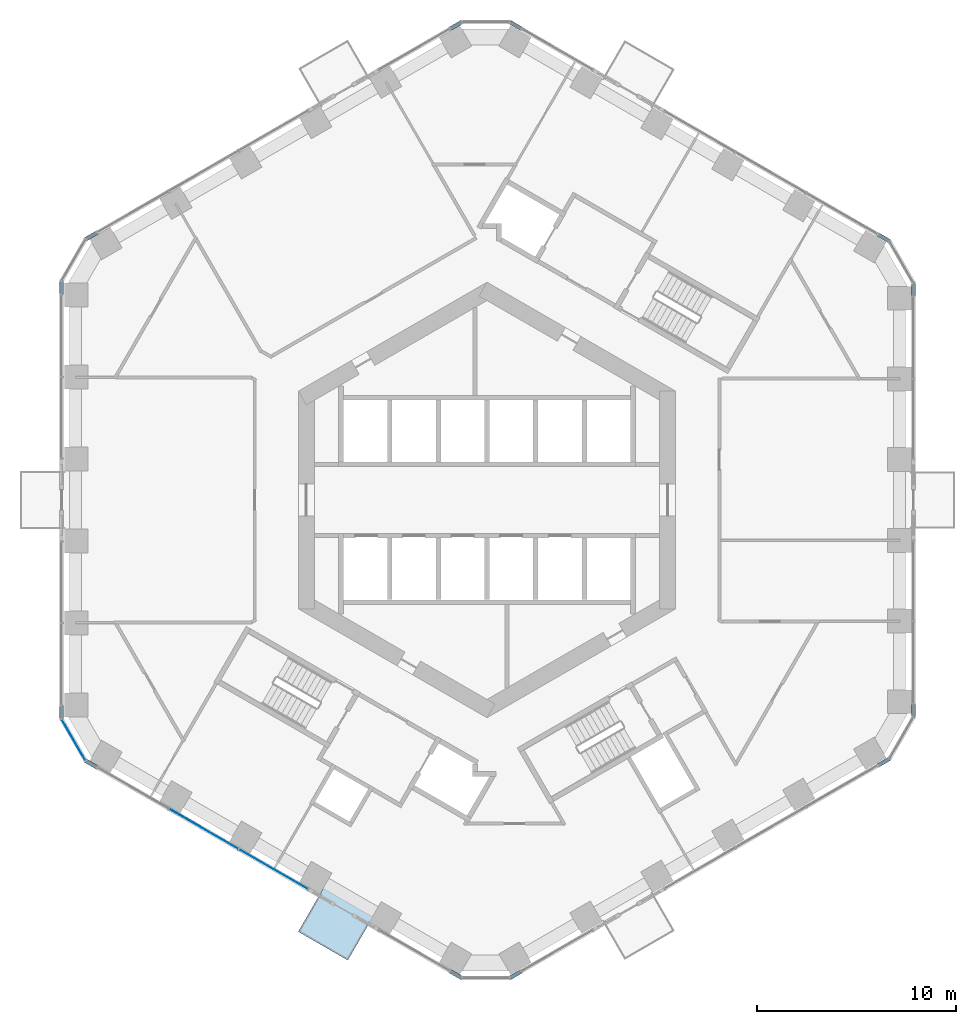
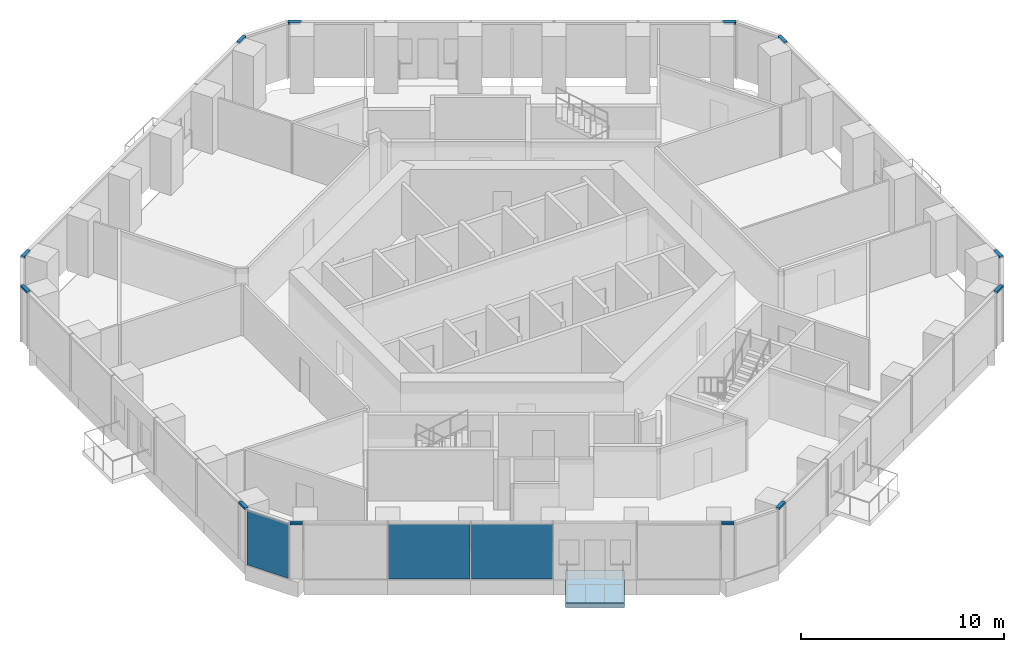
# One storey, part 8 of 20: 12 members, 3 plates, 1 slab, 7 elements without a shape of their own.
"""IFC4 building model written with IfcOpenShell, lengths in metres."""

from ifc_helpers import new_model, si_unit, direction, frame, origin, origin_2d, place, context, subcontext, project, spatial, polyline, rectangle, outline, extrude, material, layer, layer_set, material_profile, profile_set, type_object, element, aggregate, save


model = new_model("IFC4")

# Units and contexts
model_context = context("Model", 3, precision=1e-05, world=origin(), true_north=direction((0.0, 1.0)))
body_context = subcontext(model_context, "Body", "Model", "MODEL_VIEW")
ifc_project = project(units=[si_unit("LENGTHUNIT", "METRE"), si_unit("AREAUNIT", "SQUARE_METRE"), si_unit("VOLUMEUNIT", "CUBIC_METRE"), si_unit("PLANEANGLEUNIT", "RADIAN"), si_unit("MASSUNIT", "GRAM", prefix="KILO")], contexts=[model_context])

# Site, building, storey
site_placement = place(None, origin())
site = spatial("IfcSite", under=ifc_project, at=site_placement, CompositionType="ELEMENT")
building_placement = place(site_placement, origin())
building = spatial("IfcBuilding", under=site, at=building_placement, Name="Ayvan Gate Tower", CompositionType="ELEMENT")
storey_placement = place(building_placement, frame((0.0, 0.0, 28.89990234375)))
storey = spatial("IfcBuildingStorey", under=building, at=storey_placement, Name="L06", CompositionType="ELEMENT", Elevation=28.89990234375)

# Curtain wall, members
ifc_material_1 = material(Name="Bronze anodised aluminium", Category="aluminium")
ifc_layer_1 = layer(ifc_material_1, 0.199951171875)
ifc_layer_set_1 = layer_set([ifc_layer_1], Name="Bronze anodised aluminium")
curtain_wall_type_1 = type_object("IfcCurtainWallType", Name="Stick curtain wall CW-6", PredefinedType="NOTDEFINED", material=ifc_layer_set_1)
curtain_wall_1_placement = place(storey_placement, origin())
curtain_wall_1 = element("IfcCurtainWall", 1, at=curtain_wall_1_placement, inside=storey, type_object=curtain_wall_type_1, Name="Stick curtain wall CW-6 L06", PredefinedType="NOTDEFINED")
ifc_material_profile = material_profile(ifc_material_1, rectangle(XDim=0.199951171875, YDim=0.1201171875, at=origin_2d()), Name="Stick curtain wall CW-6 transom 200 x 120")
ifc_profile_set = profile_set([ifc_material_profile], Name="Bronze anodised aluminium")
member_type = type_object("IfcMemberType", Name="Stick curtain wall CW-6 transom 200 x 120", PredefinedType="USERDEFINED", material=ifc_profile_set)
member_1_placement = place(storey_placement, frame((-19.655029296875, 13.46044921875, 3.340087890625), z_axis=(-0.866022959057, -0.500004234368, 0.0), x_axis=(0.500004234368, -0.866022959057, 0.0)))
member_1 = element("IfcMember", 2, at=member_1_placement, type_object=member_type, Name="CW-6 transom 1", ObjectType="TRANSOM", PredefinedType="USERDEFINED", context=body_context, shape_type="SweptSolid", body=[
    extrude(rectangle(XDim=0.199951171875, YDim=0.1201171875, at=origin_2d()), origin(), (0.0, 0.0, 1.0), 0.625),
])
member_2_placement = place(storey_placement, frame((-21.42529296875, 11.019287109375, 3.340087890625), z_axis=(0.0, -1.0, 0.0), x_axis=(1.0, 0.0, 0.0)))
member_2 = element("IfcMember", 3, at=member_2_placement, type_object=member_type, Name="CW-6 transom 3", ObjectType="TRANSOM", PredefinedType="USERDEFINED", context=body_context, shape_type="SweptSolid", body=[
    extrude(rectangle(XDim=0.199951171875, YDim=0.1201171875, at=origin_2d()), origin(), (0.0, 0.0, 1.0), 0.625),
])
aggregate(curtain_wall_1, [member_1, member_2])

curtain_wall_2_placement = place(storey_placement, origin())
curtain_wall_2 = element("IfcCurtainWall", 4, at=curtain_wall_2_placement, inside=storey, type_object=curtain_wall_type_1, Name="Stick curtain wall CW-6 L06", PredefinedType="NOTDEFINED")
member_3_placement = place(storey_placement, frame((-21.42529296875, -10.394287109375, 3.340087890625), z_axis=(0.0, -1.0, 0.0), x_axis=(1.0, 0.0, 0.0)))
member_3 = element("IfcMember", 5, at=member_3_placement, type_object=member_type, Name="CW-6 transom 1", ObjectType="TRANSOM", PredefinedType="USERDEFINED", context=body_context, shape_type="SweptSolid", body=[
    extrude(rectangle(XDim=0.199951171875, YDim=0.1201171875, at=origin_2d()), origin(), (0.0, 0.0, 1.0), 0.625),
])
member_4_placement = place(storey_placement, frame((-20.1962890625, -13.14794921875, 3.340087890625), z_axis=(0.866022959057, -0.500004234368, 0.0), x_axis=(0.500004234368, 0.866022959057, 0.0)))
member_4 = element("IfcMember", 6, at=member_4_placement, type_object=member_type, Name="CW-6 transom 3", ObjectType="TRANSOM", PredefinedType="USERDEFINED", context=body_context, shape_type="SweptSolid", body=[
    extrude(rectangle(XDim=0.199951171875, YDim=0.1201171875, at=origin_2d()), origin(), (0.0, 0.0, 1.0), 0.625),
])

curtain_wall_3_placement = place(storey_placement, origin())
curtain_wall_3 = element("IfcCurtainWall", 7, at=curtain_wall_3_placement, inside=storey, type_object=curtain_wall_type_1, Name="Stick curtain wall CW-6 L06", PredefinedType="NOTDEFINED")
member_5_placement = place(storey_placement, frame((-1.82958984375, -23.751953125, 3.340087890625), z_axis=(0.866022959057, -0.500004234368, 0.0), x_axis=(0.500004234368, 0.866022959057, 0.0)))
member_5 = element("IfcMember", 8, at=member_5_placement, type_object=member_type, Name="CW-6 transom 1", ObjectType="TRANSOM", PredefinedType="USERDEFINED", context=body_context, shape_type="SweptSolid", body=[
    extrude(rectangle(XDim=0.199951171875, YDim=0.1201171875, at=origin_2d()), origin(), (0.0, 0.0, 1.0), 0.625),
])
member_6_placement = place(storey_placement, frame((1.169677734375, -24.064453125, 3.340087890625), z_axis=(0.866022959057, 0.500004234368, 0.0), x_axis=(-0.500004234368, 0.866022959057, 0.0)))
member_6 = element("IfcMember", 9, at=member_6_placement, type_object=member_type, Name="CW-6 transom 3", ObjectType="TRANSOM", PredefinedType="USERDEFINED", context=body_context, shape_type="SweptSolid", body=[
    extrude(rectangle(XDim=0.199951171875, YDim=0.1201171875, at=origin_2d()), origin(), (0.0, 0.0, 1.0), 0.625),
])
aggregate(curtain_wall_3, [member_5, member_6])

curtain_wall_4_placement = place(storey_placement, origin())
curtain_wall_4 = element("IfcCurtainWall", 10, at=curtain_wall_4_placement, inside=storey, type_object=curtain_wall_type_1, Name="Stick curtain wall CW-6 L06", PredefinedType="NOTDEFINED")
member_7_placement = place(storey_placement, frame((19.71435546875, -13.357666015625, 3.340087890625), z_axis=(0.866022959057, 0.500004234368, 0.0), x_axis=(-0.500004234368, 0.866022959057, 0.0)))
member_7 = element("IfcMember", 11, at=member_7_placement, type_object=member_type, Name="CW-6 transom 1", ObjectType="TRANSOM", PredefinedType="USERDEFINED", context=body_context, shape_type="SweptSolid", body=[
    extrude(rectangle(XDim=0.199951171875, YDim=0.1201171875, at=origin_2d()), origin(), (0.0, 0.0, 1.0), 0.625),
])
member_8_placement = place(storey_placement, frame((21.484619140625, -10.91650390625, 3.340087890625), z_axis=(0.0, 1.0, 0.0), x_axis=(-1.0, 0.0, 0.0)))
member_8 = element("IfcMember", 12, at=member_8_placement, type_object=member_type, Name="CW-6 transom 3", ObjectType="TRANSOM", PredefinedType="USERDEFINED", context=body_context, shape_type="SweptSolid", body=[
    extrude(rectangle(XDim=0.199951171875, YDim=0.1201171875, at=origin_2d()), origin(), (0.0, 0.0, 1.0), 0.625),
])
aggregate(curtain_wall_4, [member_7, member_8])

curtain_wall_5_placement = place(storey_placement, origin())
curtain_wall_5 = element("IfcCurtainWall", 13, at=curtain_wall_5_placement, inside=storey, type_object=curtain_wall_type_1, Name="Stick curtain wall CW-6 L06", PredefinedType="NOTDEFINED")
member_9_placement = place(storey_placement, frame((21.484619140625, 10.29150390625, 3.340087890625), z_axis=(0.0, 1.0, 0.0), x_axis=(-1.0, 0.0, 0.0)))
member_9 = element("IfcMember", 14, at=member_9_placement, type_object=member_type, Name="CW-6 transom 1", ObjectType="TRANSOM", PredefinedType="USERDEFINED", context=body_context, shape_type="SweptSolid", body=[
    extrude(rectangle(XDim=0.199951171875, YDim=0.1201171875, at=origin_2d()), origin(), (0.0, 0.0, 1.0), 0.625),
])
member_10_placement = place(storey_placement, frame((20.255615234375, 13.045166015625, 3.340087890625), z_axis=(-0.866022959057, 0.500004234368, 0.0), x_axis=(-0.500004234368, -0.866022959057, 0.0)))
member_10 = element("IfcMember", 15, at=member_10_placement, type_object=member_type, Name="CW-6 transom 3", ObjectType="TRANSOM", PredefinedType="USERDEFINED", context=body_context, shape_type="SweptSolid", body=[
    extrude(rectangle(XDim=0.199951171875, YDim=0.1201171875, at=origin_2d()), origin(), (0.0, 0.0, 1.0), 0.625),
])
aggregate(curtain_wall_5, [member_9, member_10])

curtain_wall_6_placement = place(storey_placement, origin())
curtain_wall_6 = element("IfcCurtainWall", 16, at=curtain_wall_6_placement, inside=storey, type_object=curtain_wall_type_1, Name="Stick curtain wall CW-6 L06", PredefinedType="NOTDEFINED")
member_11_placement = place(storey_placement, frame((1.7109375, 23.751953125, 3.340087890625), z_axis=(-0.866022959057, 0.500004234368, 0.0), x_axis=(-0.500004234368, -0.866022959057, 0.0)))
member_11 = element("IfcMember", 17, at=member_11_placement, type_object=member_type, Name="CW-6 transom 1", ObjectType="TRANSOM", PredefinedType="USERDEFINED", context=body_context, shape_type="SweptSolid", body=[
    extrude(rectangle(XDim=0.199951171875, YDim=0.1201171875, at=origin_2d()), origin(), (0.0, 0.0, 1.0), 0.625),
])
member_12_placement = place(storey_placement, frame((-1.288330078125, 24.064453125, 3.340087890625), z_axis=(-0.866022959057, -0.500004234368, 0.0), x_axis=(0.500004234368, -0.866022959057, 0.0)))
member_12 = element("IfcMember", 18, at=member_12_placement, type_object=member_type, Name="CW-6 transom 3", ObjectType="TRANSOM", PredefinedType="USERDEFINED", context=body_context, shape_type="SweptSolid", body=[
    extrude(rectangle(XDim=0.199951171875, YDim=0.1201171875, at=origin_2d()), origin(), (0.0, 0.0, 1.0), 0.625),
])
aggregate(curtain_wall_6, [member_11, member_12])

# Slab
ifc_material_2 = material(Name="Concrete C40/50", Category="concrete")
ifc_layer_2 = layer(ifc_material_2, 0.25)
ifc_layer_set_2 = layer_set([ifc_layer_2], Name="Concrete C40/50")
slab_type = type_object("IfcSlabType", Name="Balcony slab 250", PredefinedType="FLOOR", material=ifc_layer_set_2)
slab_placement = place(storey_placement, frame((0.0, 0.0, -0.25)))
element("IfcSlab", 19, at=slab_placement, inside=storey, type_object=slab_type, Name="Balcony slab BAL-L06-4", PredefinedType="FLOOR", context=body_context, shape_type="SweptSolid", body=[
    extrude(outline(polyline([(-8.106201171875, -19.31982421875), (-5.612060546875, -20.759765625), (-7.01220703125, -23.184814453125), (-9.506103515625, -21.744873046875), (-8.106201171875, -19.31982421875)])), origin(), (0.0, 0.0, 1.0), 0.25),
])

# Curtain wall, plates
ifc_layer_3 = layer(ifc_material_1, 0.199951171875)
ifc_layer_set_3 = layer_set([ifc_layer_3], Name="Bronze anodised aluminium")
curtain_wall_type_2 = type_object("IfcCurtainWallType", Name="Stick curtain wall CW-1", PredefinedType="NOTDEFINED", material=ifc_layer_set_3)
curtain_wall_7_placement = place(storey_placement, origin())
curtain_wall_7 = element("IfcCurtainWall", 20, at=curtain_wall_7_placement, inside=storey, type_object=curtain_wall_type_2, Name="Stick curtain wall CW-1 L06", PredefinedType="NOTDEFINED")
ifc_material_3 = material(Name="Clear low-iron laminated glass", Category="glass")
ifc_layer_4 = layer(ifc_material_3, 0.028076171875)
ifc_layer_set_4 = layer_set([ifc_layer_4], Name="Clear low-iron laminated glass")
plate_type_1 = type_object("IfcPlateType", Name="Stick curtain wall CW-1 glass panel", PredefinedType="CURTAIN_PANEL", material=ifc_layer_set_4)
plate_1_placement = place(storey_placement, frame((-14.263671875, -16.5732421875, 0.0), z_axis=(0.0, 0.0, 1.0), x_axis=(0.866025403784, -0.5, 0.0)))
plate_1 = element("IfcPlate", 21, at=plate_1_placement, type_object=plate_type_1, Name="CW-1 glass panel 2", PredefinedType="CURTAIN_PANEL", context=body_context, shape_type="SweptSolid", body=[
    extrude(rectangle(XDim=4.007080078125, YDim=0.028076171875, at=origin_2d()), origin(), (0.0, 0.0, 1.0), 3.280029296875),
])
plate_2_placement = place(storey_placement, frame((-10.741943359375, -18.6064453125, 0.0), z_axis=(0.0, 0.0, 1.0), x_axis=(0.866025403784, -0.5, 0.0)))
plate_2 = element("IfcPlate", 22, at=plate_2_placement, type_object=plate_type_1, Name="CW-1 glass panel 3", PredefinedType="CURTAIN_PANEL", context=body_context, shape_type="SweptSolid", body=[
    extrude(rectangle(XDim=4.006103515625, YDim=0.028076171875, at=origin_2d()), origin(), (0.0, 0.0, 1.0), 3.280029296875),
])
aggregate(curtain_wall_7, [plate_1, plate_2])

# Plate
ifc_layer_5 = layer(ifc_material_3, 0.028076171875)
ifc_layer_set_5 = layer_set([ifc_layer_5], Name="Clear low-iron laminated glass")
plate_type_2 = type_object("IfcPlateType", Name="Stick curtain wall CW-6 glass panel", PredefinedType="CURTAIN_PANEL", material=ifc_layer_set_5)
plate_3_placement = place(storey_placement, frame((-20.821533203125, -12.08984375, 0.0), z_axis=(0.0, 0.0, 1.0), x_axis=(0.5, -0.866025403784, 0.0)))
plate_3 = element("IfcPlate", 23, at=plate_3_placement, type_object=plate_type_2, Name="CW-6 glass panel 2", PredefinedType="CURTAIN_PANEL", context=body_context, shape_type="SweptSolid", body=[
    extrude(rectangle(XDim=2.364501953125, YDim=0.028076171875, at=origin_2d()), origin(), (0.0, 0.0, 1.0), 3.280029296875),
])

aggregate(curtain_wall_2, [member_3, member_4, plate_3])

save(model, "model.ifc")
